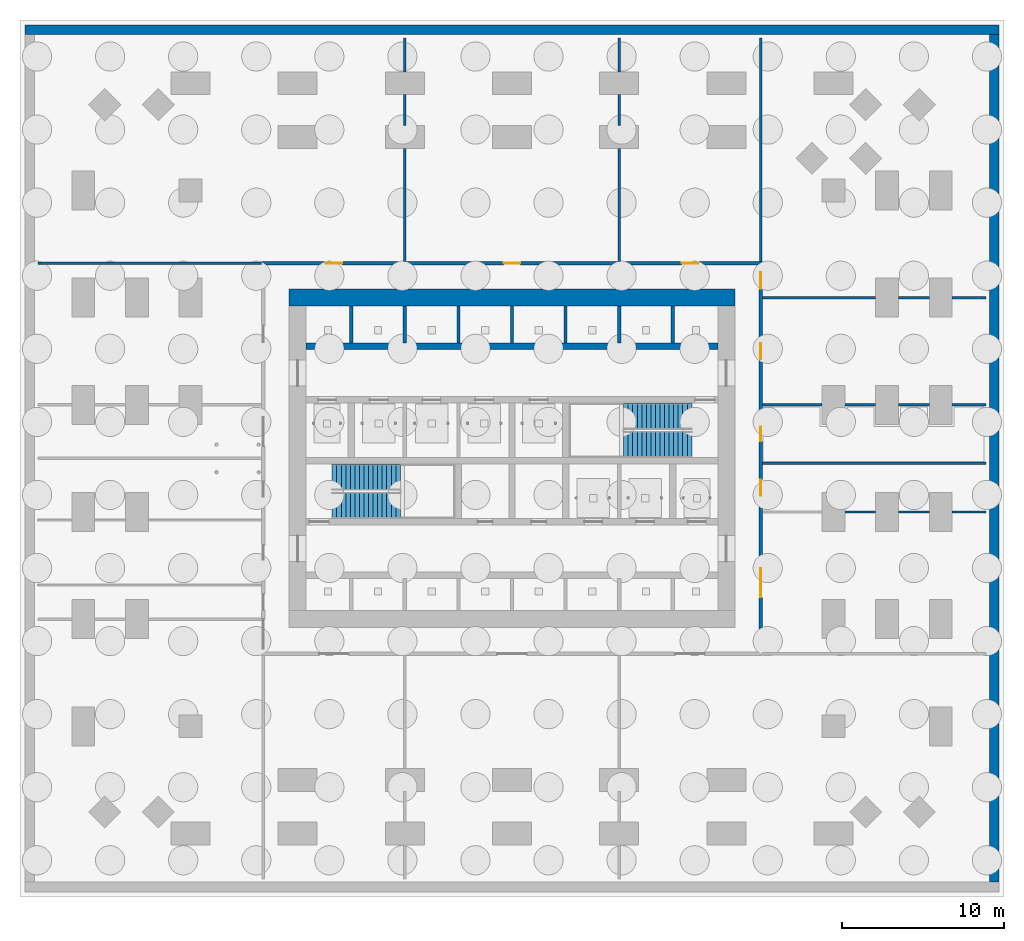
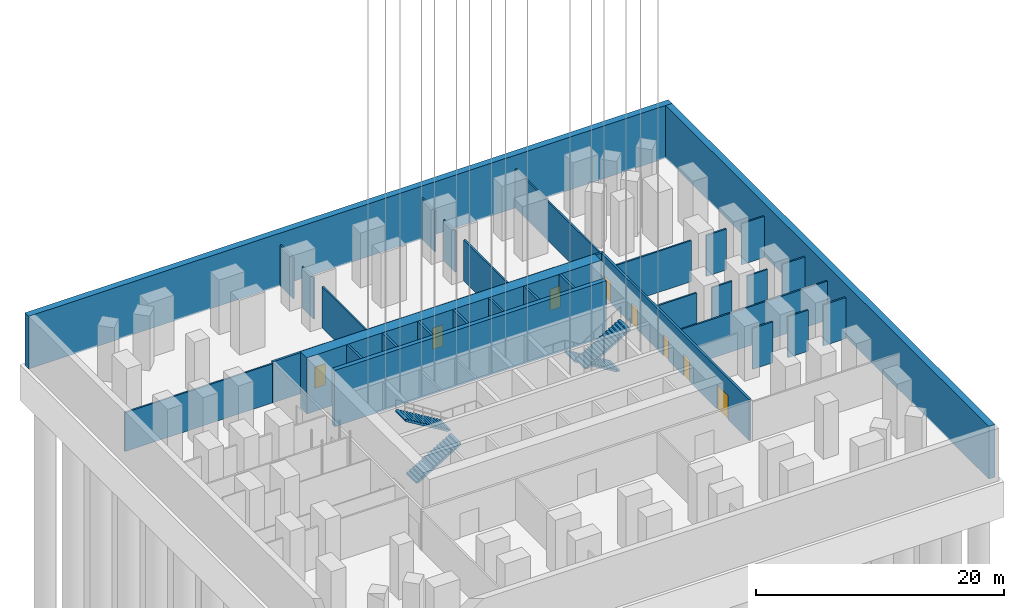
# One storey, part 5 of 17: 32 walls, 8 doors, 4 stair flights, 8 openings, 2 elements without a shape of their own.
"""IFC4 building model written with IfcOpenShell, lengths in metres."""

from ifc_helpers import new_model, si_unit, direction, frame, frame_2d, origin, place, context, subcontext, project, spatial, polyline, rectangle, outline, extrude, material, layer, layer_set, type_object, element, fill, aggregate, save


model = new_model("IFC4")

# Units and contexts
model_context = context("Model", 3, precision=1e-05, world=origin(), true_north=direction((0.0, 1.0)))
body_context = subcontext(model_context, "Body", "Model", "MODEL_VIEW")
ifc_project = project(units=[si_unit("LENGTHUNIT", "METRE"), si_unit("AREAUNIT", "SQUARE_METRE"), si_unit("VOLUMEUNIT", "CUBIC_METRE"), si_unit("PLANEANGLEUNIT", "RADIAN"), si_unit("MASSUNIT", "GRAM", prefix="KILO")], contexts=[model_context])

# Site, building, storey
site_placement = place(None, origin())
site = spatial("IfcSite", under=ifc_project, at=site_placement, CompositionType="ELEMENT")
building_placement = place(site_placement, origin())
building = spatial("IfcBuilding", under=site, at=building_placement, Name="Cobogo Forest Laboratory Tower", CompositionType="ELEMENT")
storey_placement = place(building_placement, frame((0.0, 0.0, -5.39990234375)))
storey = spatial("IfcBuildingStorey", under=building, at=storey_placement, Name="L-01", CompositionType="ELEMENT", Elevation=-5.39990234375)

# Walls
ifc_material_1 = material(Name="Concrete HA-40 (C40/50)", Category="concrete")
ifc_layer_1 = layer(ifc_material_1, 0.60009765625)
ifc_layer_set_1 = layer_set([ifc_layer_1], Name="Basement retaining wall 600")
wall_type_1 = type_object("IfcWallType", Name="Basement retaining wall 600", PredefinedType="SOLIDWALL", material=ifc_layer_set_1)
wall_1_placement = place(storey_placement, frame((-3.60009765625, 49.5, -0.150146484375), z_axis=(0.0, 0.0, 1.0), x_axis=(1.0, 0.0, 0.0)))
element("IfcWall", 1, at=wall_1_placement, inside=storey, type_object=wall_type_1, Name="Retaining wall N", PredefinedType="SOLIDWALL", context=body_context, shape_type="SweptSolid", body=[
    extrude(rectangle(XDim=60.0, YDim=0.60009765625, at=frame_2d((30.0, 0.0))), origin(), (0.0, 0.0, 1.0), 5.199951171875),
])
wall_2_placement = place(storey_placement, frame((56.10009765625, -3.0, -0.150146484375), z_axis=(0.0, 0.0, 1.0), x_axis=(0.0, 1.0, 0.0)))
element("IfcWall", 2, at=wall_2_placement, inside=storey, type_object=wall_type_1, Name="Retaining wall E", PredefinedType="SOLIDWALL", context=body_context, shape_type="SweptSolid", body=[
    extrude(rectangle(XDim=52.199951171875, YDim=0.60009765625, at=frame_2d((26.10009765625, 0.0))), origin(), (0.0, 0.0, 1.0), 5.199951171875),
])
ifc_material_2 = material(Name="Concrete HA-50 (C50/60)", Category="concrete")
ifc_layer_2 = layer(ifc_material_2, 0.39990234375)
ifc_layer_set_2 = layer_set([ifc_layer_2], Name="CI400 core inner wall 400")
wall_type_2 = type_object("IfcWallType", Name="CI400 core inner wall 400", PredefinedType="SHEAR", material=ifc_layer_set_2)
wall_3_placement = place(storey_placement, frame((13.72509765625, 30.0, -0.150146484375), z_axis=(0.0, 0.0, 1.0), x_axis=(1.0, 0.0, 0.0)))
element("IfcWall", 3, at=wall_3_placement, inside=storey, type_object=wall_type_2, Name="Core wall CI-30.0 L-01", PredefinedType="SHEAR", context=body_context, shape_type="SweptSolid", body=[
    extrude(rectangle(XDim=25.349853515625, YDim=0.39990234375, at=frame_2d((12.6748046875, 0.0))), origin(), (0.0, 0.0, 1.0), 5.550048828125),
])
ifc_layer_3 = layer(ifc_material_2, 1.050048828125)
ifc_layer_set_3 = layer_set([ifc_layer_3], Name="CW1050 core outer wall 1050")
wall_type_3 = type_object("IfcWallType", Name="CW1050 core outer wall 1050", PredefinedType="SHEAR", material=ifc_layer_set_3)
wall_4_placement = place(storey_placement, frame((40.125, 33.0, -0.150146484375), z_axis=(0.0, 0.0, 1.0), x_axis=(-1.0, 0.0, 0.0)))
element("IfcWall", 4, at=wall_4_placement, inside=storey, type_object=wall_type_3, Name="Core wall CO-N L-01", PredefinedType="SHEAR", context=body_context, shape_type="SweptSolid", body=[
    extrude(rectangle(XDim=27.449951171875, YDim=1.050048828125, at=frame_2d((13.72509765625, 0.0))), origin(), (0.0, 0.0, 1.0), 5.550048828125),
])
ifc_material_3 = material(Name="Gypsum board on steel studs", Category="steel")
ifc_layer_4 = layer(ifc_material_3, 0.14990234375)
ifc_layer_set_4 = layer_set([ifc_layer_4], Name="PT1 laboratory partition 150")
wall_type_4 = type_object("IfcWallType", Name="PT1 laboratory partition 150", PredefinedType="PARTITIONING", material=ifc_layer_set_4)
wall_5_placement = place(storey_placement, frame((41.72509765625, 49.0, 0.0), z_axis=(0.0, 0.0, 1.0), x_axis=(0.0, -1.0, 0.0)))
element("IfcWall", 5, at=wall_5_placement, inside=storey, type_object=wall_type_4, Name="Partition PW-NE L-01", PredefinedType="PARTITIONING", context=body_context, shape_type="SweptSolid", body=[
    extrude(rectangle(XDim=13.77490234375, YDim=0.14990234375, at=frame_2d((6.887451171875, 0.0))), origin(), (0.0, 0.0, 1.0), 3.849853515625),
])
for number, where, z_axis, x_axis, name in (
    (6, (-2.800048828125, 35.125, 0.0), (0.0, 0.0, 1.0), (1.0, 0.0, 0.0), "Partition PW-NW L-01"),
    (7, (55.60009765625, 22.800048828125, 0.0), (0.0, 0.0, 1.0), (-1.0, 0.0, 0.0), "Partition SVC-E1-1 L-01"),
):
    element("IfcWall", number, at=place(storey_placement, frame(where, z_axis=z_axis, x_axis=x_axis)), inside=storey, type_object=wall_type_4, Name=name, PredefinedType="PARTITIONING", context=body_context, shape_type="SweptSolid", body=[
        extrude(rectangle(XDim=13.775146484375, YDim=0.14990234375, at=frame_2d((6.8876953125, 0.0))), origin(), (0.0, 0.0, 1.0), 3.849853515625),
    ])
wall_6_placement = place(storey_placement, frame((55.60009765625, 26.39990234375, 0.0), z_axis=(0.0, 0.0, 1.0), x_axis=(-1.0, 0.0, 0.0)))
element("IfcWall", 8, at=wall_6_placement, inside=storey, type_object=wall_type_4, Name="Partition SVC-E2-1 L-01", PredefinedType="PARTITIONING", context=body_context, shape_type="SweptSolid", body=[
    extrude(rectangle(XDim=2.10009765625, YDim=0.14990234375, at=frame_2d((1.050048828125, 0.0))), origin(), (0.0, 0.0, 1.0), 4.0498046875),
])
for number, where, z_axis, x_axis, name in (
    (9, (52.10009765625, 26.39990234375, 0.0), (0.0, 0.0, 1.0), (-1.0, 0.0, 0.0), "Partition SVC-E2-2 L-01"),
    (10, (48.800048828125, 26.39990234375, 0.0), (0.0, 0.0, 1.0), (-1.0, 0.0, 0.0), "Partition SVC-E2-3 L-01"),
):
    element("IfcWall", number, at=place(storey_placement, frame(where, z_axis=z_axis, x_axis=x_axis)), inside=storey, type_object=wall_type_4, Name=name, PredefinedType="PARTITIONING", context=body_context, shape_type="SweptSolid", body=[
        extrude(rectangle(XDim=1.900146484375, YDim=0.14990234375, at=frame_2d((0.9501953125, 0.0))), origin(), (0.0, 0.0, 1.0), 4.0498046875),
    ])
wall_7_placement = place(storey_placement, frame((45.5, 26.39990234375, 0.0), z_axis=(0.0, 0.0, 1.0), x_axis=(-1.0, 0.0, 0.0)))
element("IfcWall", 11, at=wall_7_placement, inside=storey, type_object=wall_type_4, Name="Partition SVC-E2-4 L-01", PredefinedType="PARTITIONING", context=body_context, shape_type="SweptSolid", body=[
    extrude(rectangle(XDim=3.675048828125, YDim=0.14990234375, at=frame_2d((1.83740234375, 0.0))), origin(), (0.0, 0.0, 1.0), 4.0498046875),
])
wall_8_placement = place(storey_placement, frame((55.60009765625, 19.800048828125, 0.0), z_axis=(0.0, 0.0, 1.0), x_axis=(-1.0, 0.0, 0.0)))
element("IfcWall", 12, at=wall_8_placement, inside=storey, type_object=wall_type_4, Name="Partition CUT-E19.8-1 L-01", PredefinedType="PARTITIONING", context=body_context, shape_type="SweptSolid", body=[
    extrude(rectangle(XDim=2.10009765625, YDim=0.14990234375, at=frame_2d((1.050048828125, 0.0))), origin(), (0.0, 0.0, 1.0), 4.0498046875),
])
for number, where, z_axis, x_axis, name in (
    (13, (52.10009765625, 19.800048828125, 0.0), (0.0, 0.0, 1.0), (-1.0, 0.0, 0.0), "Partition CUT-E19.8-2 L-01"),
    (14, (48.800048828125, 19.800048828125, 0.0), (0.0, 0.0, 1.0), (-1.0, 0.0, 0.0), "Partition CUT-E19.8-3 L-01"),
):
    element("IfcWall", number, at=place(storey_placement, frame(where, z_axis=z_axis, x_axis=x_axis)), inside=storey, type_object=wall_type_4, Name=name, PredefinedType="PARTITIONING", context=body_context, shape_type="SweptSolid", body=[
        extrude(rectangle(XDim=1.900146484375, YDim=0.14990234375, at=frame_2d((0.9501953125, 0.0))), origin(), (0.0, 0.0, 1.0), 4.0498046875),
    ])
wall_9_placement = place(storey_placement, frame((55.60009765625, 33.0, 0.0), z_axis=(0.0, 0.0, 1.0), x_axis=(-1.0, 0.0, 0.0)))
element("IfcWall", 15, at=wall_9_placement, inside=storey, type_object=wall_type_4, Name="Partition CUT-E33-1 L-01", PredefinedType="PARTITIONING", context=body_context, shape_type="SweptSolid", body=[
    extrude(rectangle(XDim=2.10009765625, YDim=0.14990234375, at=frame_2d((1.050048828125, 0.0))), origin(), (0.0, 0.0, 1.0), 4.0498046875),
])
wall_10_placement = place(storey_placement, frame((52.10009765625, 33.0, 0.0), z_axis=(0.0, 0.0, 1.0), x_axis=(-1.0, 0.0, 0.0)))
element("IfcWall", 16, at=wall_10_placement, inside=storey, type_object=wall_type_4, Name="Partition CUT-E33-2 L-01", PredefinedType="PARTITIONING", context=body_context, shape_type="SweptSolid", body=[
    extrude(rectangle(XDim=1.900146484375, YDim=0.14990234375, at=frame_2d((0.9501953125, 0.0))), origin(), (0.0, 0.0, 1.0), 4.0498046875),
])
wall_11_placement = place(storey_placement, frame((48.800048828125, 33.0, 0.0), z_axis=(0.0, 0.0, 1.0), x_axis=(-1.0, 0.0, 0.0)))
element("IfcWall", 17, at=wall_11_placement, inside=storey, type_object=wall_type_4, Name="Partition CUT-E33-3 L-01", PredefinedType="PARTITIONING", context=body_context, shape_type="SweptSolid", body=[
    extrude(rectangle(XDim=6.97509765625, YDim=0.14990234375, at=frame_2d((3.487548828125, 0.0))), origin(), (0.0, 0.0, 1.0), 4.0498046875),
])
wall_12_placement = place(storey_placement, frame((19.800048828125, 49.0, 0.0), z_axis=(0.0, 0.0, 1.0), x_axis=(0.0, -1.0, 0.0)))
element("IfcWall", 18, at=wall_12_placement, inside=storey, type_object=wall_type_4, Name="Partition CUT-N19.8-1 L-01", PredefinedType="PARTITIONING", context=body_context, shape_type="SweptSolid", body=[
    extrude(rectangle(XDim=2.10009765625, YDim=0.14990234375, at=frame_2d((1.050048828125, 0.0))), origin(), (0.0, 0.0, 1.0), 4.0498046875),
])
wall_13_placement = place(storey_placement, frame((19.800048828125, 45.5, 0.0), z_axis=(0.0, 0.0, 1.0), x_axis=(0.0, -1.0, 0.0)))
element("IfcWall", 19, at=wall_13_placement, inside=storey, type_object=wall_type_4, Name="Partition CUT-N19.8-2 L-01", PredefinedType="PARTITIONING", context=body_context, shape_type="SweptSolid", body=[
    extrude(rectangle(XDim=1.89990234375, YDim=0.14990234375, at=frame_2d((0.949951171875, 0.0))), origin(), (0.0, 0.0, 1.0), 4.0498046875),
])
wall_14_placement = place(storey_placement, frame((19.800048828125, 42.199951171875, 0.0), z_axis=(0.0, 0.0, 1.0), x_axis=(0.0, -1.0, 0.0)))
element("IfcWall", 20, at=wall_14_placement, inside=storey, type_object=wall_type_4, Name="Partition CUT-N19.8-3 L-01", PredefinedType="PARTITIONING", context=body_context, shape_type="SweptSolid", body=[
    extrude(rectangle(XDim=6.974853515625, YDim=0.14990234375, at=frame_2d((3.4873046875, 0.0))), origin(), (0.0, 0.0, 1.0), 4.0498046875),
])
wall_15_placement = place(storey_placement, frame((33.0, 49.0, 0.0), z_axis=(0.0, 0.0, 1.0), x_axis=(0.0, -1.0, 0.0)))
element("IfcWall", 21, at=wall_15_placement, inside=storey, type_object=wall_type_4, Name="Partition CUT-N33-1 L-01", PredefinedType="PARTITIONING", context=body_context, shape_type="SweptSolid", body=[
    extrude(rectangle(XDim=2.10009765625, YDim=0.14990234375, at=frame_2d((1.050048828125, 0.0))), origin(), (0.0, 0.0, 1.0), 4.0498046875),
])
wall_16_placement = place(storey_placement, frame((33.0, 45.5, 0.0), z_axis=(0.0, 0.0, 1.0), x_axis=(0.0, -1.0, 0.0)))
element("IfcWall", 22, at=wall_16_placement, inside=storey, type_object=wall_type_4, Name="Partition CUT-N33-2 L-01", PredefinedType="PARTITIONING", context=body_context, shape_type="SweptSolid", body=[
    extrude(rectangle(XDim=1.89990234375, YDim=0.14990234375, at=frame_2d((0.949951171875, 0.0))), origin(), (0.0, 0.0, 1.0), 4.0498046875),
])
wall_17_placement = place(storey_placement, frame((33.0, 42.199951171875, 0.0), z_axis=(0.0, 0.0, 1.0), x_axis=(0.0, -1.0, 0.0)))
element("IfcWall", 23, at=wall_17_placement, inside=storey, type_object=wall_type_4, Name="Partition CUT-N33-3 L-01", PredefinedType="PARTITIONING", context=body_context, shape_type="SweptSolid", body=[
    extrude(rectangle(XDim=6.974853515625, YDim=0.14990234375, at=frame_2d((3.4873046875, 0.0))), origin(), (0.0, 0.0, 1.0), 4.0498046875),
])

# Wall, openings, doors
ifc_layer_5 = layer(ifc_material_3, 0.199951171875)
ifc_layer_set_5 = layer_set([ifc_layer_5], Name="PT2 fire-rated corridor partition 200")
wall_type_5 = type_object("IfcWallType", Name="PT2 fire-rated corridor partition 200", PredefinedType="PARTITIONING", material=ifc_layer_set_5)
wall_18_placement = place(storey_placement, frame((10.97509765625, 35.125, 0.0), z_axis=(0.0, 0.0, 1.0), x_axis=(1.0, 0.0, 0.0)))
wall_18 = element("IfcWall", 24, at=wall_18_placement, inside=storey, type_object=wall_type_5, Name="Partition CORR-N L-01", PredefinedType="PARTITIONING", context=body_context, shape_type="SweptSolid", body=[
    extrude(rectangle(XDim=30.849853515625, YDim=0.199951171875, at=frame_2d((15.4248046875, 0.0))), origin(), (0.0, 0.0, 1.0), 4.0498046875),
])
opening_1_placement = place(wall_18_placement, frame((3.96240234375, 0.0, 0.0)))
opening_1 = element("IfcOpeningElement", 25, at=opening_1_placement, cuts=wall_18, Name="Opening L-1-D23", PredefinedType="OPENING", context=body_context, shape_type="SweptSolid", body=[
    extrude(rectangle(XDim=1.0, YDim=2.10009765625, at=frame_2d((0.5, 1.050048828125))), frame((0.0, 0.10986328125, 0.0), z_axis=(0.0, -1.0, 0.0), x_axis=(1.0, 0.0, 0.0)), (0.0, 0.0, 1.0), 0.219970703125),
])
opening_2_placement = place(wall_18_placement, frame((14.925048828125, 0.0, 0.0)))
opening_2 = element("IfcOpeningElement", 26, at=opening_2_placement, cuts=wall_18, Name="Opening L-1-D24", PredefinedType="OPENING", context=body_context, shape_type="SweptSolid", body=[
    extrude(rectangle(XDim=1.0, YDim=2.10009765625, at=frame_2d((0.5, 1.050048828125))), frame((0.0, 0.10986328125, 0.0), z_axis=(0.0, -1.0, 0.0), x_axis=(1.0, 0.0, 0.0)), (0.0, 0.0, 1.0), 0.219970703125),
])
opening_3_placement = place(wall_18_placement, frame((25.887451171875, 0.0, 0.0)))
opening_3 = element("IfcOpeningElement", 27, at=opening_3_placement, cuts=wall_18, Name="Opening L-1-D25", PredefinedType="OPENING", context=body_context, shape_type="SweptSolid", body=[
    extrude(rectangle(XDim=1.0, YDim=2.10009765625, at=frame_2d((0.5, 1.050048828125))), frame((0.0, 0.10986328125, 0.0), z_axis=(0.0, -1.0, 0.0), x_axis=(1.0, 0.0, 0.0)), (0.0, 0.0, 1.0), 0.219970703125),
])
ifc_material_4 = material(Name="Steel fire door", Category="steel")
door_type_1 = type_object("IfcDoorType", Name="FD1 fire door 1000 EI2 60", OperationType="SINGLE_SWING_LEFT", PredefinedType="DOOR", material=ifc_material_4)
door_1_placement = place(opening_1_placement, origin())
door_1 = element("IfcDoor", 28, at=door_1_placement, inside=storey, type_object=door_type_1, Name="Door L-1-N1", OperationType="SINGLE_SWING_LEFT", OverallHeight=2.10009765625, OverallWidth=1.0, PredefinedType="DOOR", context=body_context, shape_type="SweptSolid", body=[
    extrude(rectangle(XDim=1.0, YDim=2.10009765625, at=frame_2d((0.5, 1.050048828125))), frame((0.0, 0.02490234375, 0.0), z_axis=(0.0, -1.0, 0.0), x_axis=(1.0, 0.0, 0.0)), (0.0, 0.0, 1.0), 0.050048828125),
])
fill(opening_1, door_1)
door_2_placement = place(opening_2_placement, origin())
door_2 = element("IfcDoor", 29, at=door_2_placement, inside=storey, type_object=door_type_1, Name="Door L-1-N2", OperationType="SINGLE_SWING_RIGHT", OverallHeight=2.10009765625, OverallWidth=1.0, PredefinedType="DOOR", context=body_context, shape_type="SweptSolid", body=[
    extrude(rectangle(XDim=1.0, YDim=2.10009765625, at=frame_2d((0.5, 1.050048828125))), frame((0.0, 0.02490234375, 0.0), z_axis=(0.0, -1.0, 0.0), x_axis=(1.0, 0.0, 0.0)), (0.0, 0.0, 1.0), 0.050048828125),
])
fill(opening_2, door_2)
door_3_placement = place(opening_3_placement, origin())
door_3 = element("IfcDoor", 30, at=door_3_placement, inside=storey, type_object=door_type_1, Name="Door L-1-N3", OperationType="SINGLE_SWING_RIGHT", OverallHeight=2.10009765625, OverallWidth=1.0, PredefinedType="DOOR", context=body_context, shape_type="SweptSolid", body=[
    extrude(rectangle(XDim=1.0, YDim=2.10009765625, at=frame_2d((0.5, 1.050048828125))), frame((0.0, 0.02490234375, 0.0), z_axis=(0.0, -1.0, 0.0), x_axis=(1.0, 0.0, 0.0)), (0.0, 0.0, 1.0), 0.050048828125),
])
fill(opening_3, door_3)

wall_19_placement = place(storey_placement, frame((41.72509765625, 11.175048828125, 0.0), z_axis=(0.0, 0.0, 1.0), x_axis=(0.0, 1.0, 0.0)))
wall_19 = element("IfcWall", 31, at=wall_19_placement, inside=storey, type_object=wall_type_5, Name="Partition CORR-E L-01", PredefinedType="PARTITIONING", context=body_context, shape_type="SweptSolid", body=[
    extrude(rectangle(XDim=23.849853515625, YDim=0.199951171875, at=frame_2d((11.9248046875, 0.0))), origin(), (0.0, 0.0, 1.0), 4.0498046875),
])
opening_4_placement = place(wall_19_placement, frame((3.362548828125, 0.0, 0.0)))
opening_4 = element("IfcOpeningElement", 32, at=opening_4_placement, cuts=wall_19, Name="Opening L-1-D06", PredefinedType="OPENING", context=body_context, shape_type="SweptSolid", body=[
    extrude(rectangle(XDim=1.800048828125, YDim=2.39990234375, at=frame_2d((0.89990234375, 1.199951171875))), frame((0.0, 0.10986328125, 0.0), z_axis=(0.0, -1.0, 0.0), x_axis=(1.0, 0.0, 0.0)), (0.0, 0.0, 1.0), 0.219970703125),
])
opening_5_placement = place(wall_19_placement, frame((9.625, 0.0, 0.0)))
opening_5 = element("IfcOpeningElement", 33, at=opening_5_placement, cuts=wall_19, Name="Opening L-1-D14", PredefinedType="OPENING", context=body_context, shape_type="SweptSolid", body=[
    extrude(rectangle(XDim=1.0, YDim=2.10009765625, at=frame_2d((0.5, 1.050048828125))), frame((0.0, 0.10986328125, 0.0), z_axis=(0.0, -1.0, 0.0), x_axis=(1.0, 0.0, 0.0)), (0.0, 0.0, 1.0), 0.219970703125),
])
opening_6_placement = place(wall_19_placement, frame((12.97509765625, 0.0, 0.0)))
opening_6 = element("IfcOpeningElement", 34, at=opening_6_placement, cuts=wall_19, Name="Opening L-1-D15", PredefinedType="OPENING", context=body_context, shape_type="SweptSolid", body=[
    extrude(rectangle(XDim=0.89990234375, YDim=2.10009765625, at=frame_2d((0.449951171875, 1.050048828125))), frame((0.0, 0.10986328125, 0.0), z_axis=(0.0, -1.0, 0.0), x_axis=(1.0, 0.0, 0.0)), (0.0, 0.0, 1.0), 0.219970703125),
])
opening_7_placement = place(wall_19_placement, frame((18.02490234375, 0.0, 0.0)))
opening_7 = element("IfcOpeningElement", 35, at=opening_7_placement, cuts=wall_19, Name="Opening L-1-D20", PredefinedType="OPENING", context=body_context, shape_type="SweptSolid", body=[
    extrude(rectangle(XDim=1.0, YDim=2.10009765625, at=frame_2d((0.5, 1.050048828125))), frame((0.0, 0.10986328125, 0.0), z_axis=(0.0, -1.0, 0.0), x_axis=(1.0, 0.0, 0.0)), (0.0, 0.0, 1.0), 0.219970703125),
])
opening_8_placement = place(wall_19_placement, frame((22.387451171875, 0.0, 0.0)))
opening_8 = element("IfcOpeningElement", 36, at=opening_8_placement, cuts=wall_19, Name="Opening L-1-D22", PredefinedType="OPENING", context=body_context, shape_type="SweptSolid", body=[
    extrude(rectangle(XDim=1.0, YDim=2.10009765625, at=frame_2d((0.5, 1.050048828125))), frame((0.0, 0.10986328125, 0.0), z_axis=(0.0, -1.0, 0.0), x_axis=(1.0, 0.0, 0.0)), (0.0, 0.0, 1.0), 0.219970703125),
])
door_4_placement = place(opening_5_placement, origin())
door_4 = element("IfcDoor", 37, at=door_4_placement, inside=storey, type_object=door_type_1, Name="Door L-1-ELEC", OperationType="SINGLE_SWING_LEFT", OverallHeight=2.10009765625, OverallWidth=1.0, PredefinedType="DOOR", context=body_context, shape_type="SweptSolid", body=[
    extrude(rectangle(XDim=1.0, YDim=2.10009765625, at=frame_2d((0.5, 1.050048828125))), frame((0.0, 0.02490234375, 0.0), z_axis=(0.0, -1.0, 0.0), x_axis=(1.0, 0.0, 0.0)), (0.0, 0.0, 1.0), 0.050048828125),
])
fill(opening_5, door_4)
door_5_placement = place(opening_7_placement, origin())
door_5 = element("IfcDoor", 38, at=door_5_placement, inside=storey, type_object=door_type_1, Name="Door L-1-E2", OperationType="SINGLE_SWING_RIGHT", OverallHeight=2.10009765625, OverallWidth=1.0, PredefinedType="DOOR", context=body_context, shape_type="SweptSolid", body=[
    extrude(rectangle(XDim=1.0, YDim=2.10009765625, at=frame_2d((0.5, 1.050048828125))), frame((0.0, 0.02490234375, 0.0), z_axis=(0.0, -1.0, 0.0), x_axis=(1.0, 0.0, 0.0)), (0.0, 0.0, 1.0), 0.050048828125),
])
fill(opening_7, door_5)
door_6_placement = place(opening_8_placement, origin())
door_6 = element("IfcDoor", 39, at=door_6_placement, inside=storey, type_object=door_type_1, Name="Door L-1-E3", OperationType="SINGLE_SWING_RIGHT", OverallHeight=2.10009765625, OverallWidth=1.0, PredefinedType="DOOR", context=body_context, shape_type="SweptSolid", body=[
    extrude(rectangle(XDim=1.0, YDim=2.10009765625, at=frame_2d((0.5, 1.050048828125))), frame((0.0, 0.02490234375, 0.0), z_axis=(0.0, -1.0, 0.0), x_axis=(1.0, 0.0, 0.0)), (0.0, 0.0, 1.0), 0.050048828125),
])
fill(opening_8, door_6)
door_type_2 = type_object("IfcDoorType", Name="FD4 riser access door 900 EI2 60", OperationType="SINGLE_SWING_LEFT", PredefinedType="DOOR", material=ifc_material_4)
door_7_placement = place(opening_6_placement, origin())
door_7 = element("IfcDoor", 40, at=door_7_placement, inside=storey, type_object=door_type_2, Name="Door L-1-COMMS", OperationType="SINGLE_SWING_RIGHT", OverallHeight=2.10009765625, OverallWidth=0.89990234375, PredefinedType="DOOR", context=body_context, shape_type="SweptSolid", body=[
    extrude(rectangle(XDim=0.89990234375, YDim=2.10009765625, at=frame_2d((0.449951171875, 1.050048828125))), frame((0.0, 0.02490234375, 0.0), z_axis=(0.0, -1.0, 0.0), x_axis=(1.0, 0.0, 0.0)), (0.0, 0.0, 1.0), 0.050048828125),
])
fill(opening_6, door_7)
door_type_3 = type_object("IfcDoorType", Name="PD1 plant door pair 1800 EI2 60", OperationType="DOUBLE_DOOR_SINGLE_SWING", PredefinedType="DOOR", material=ifc_material_4)
door_8_placement = place(opening_4_placement, origin())
door_8 = element("IfcDoor", 41, at=door_8_placement, inside=storey, type_object=door_type_3, Name="Door L-1-E1", OperationType="DOUBLE_DOOR_SINGLE_SWING", OverallHeight=2.39990234375, OverallWidth=1.800048828125, PredefinedType="DOOR", context=body_context, shape_type="SweptSolid", body=[
    extrude(rectangle(XDim=1.800048828125, YDim=2.39990234375, at=frame_2d((0.89990234375, 1.199951171875))), frame((0.0, 0.02490234375, 0.0), z_axis=(0.0, -1.0, 0.0), x_axis=(1.0, 0.0, 0.0)), (0.0, 0.0, 1.0), 0.050048828125),
])
fill(opening_4, door_8)

# Walls
ifc_material_5 = material(Name="Concrete block", Category="concrete")
ifc_layer_6 = layer(ifc_material_5, 0.199951171875)
ifc_layer_set_6 = layer_set([ifc_layer_6], Name="SW200 lift shaft separator 200")
wall_type_6 = type_object("IfcWallType", Name="SW200 lift shaft separator 200", PredefinedType="PARTITIONING", material=ifc_layer_set_6)
for number, where, z_axis, x_axis, name in (
    (42, (16.5, 30.199951171875, -0.150146484375), (0.0, 0.0, 1.0), (0.0, 1.0, 0.0), "Core wall SEP-N1 L-01"),
    (43, (19.800048828125, 30.199951171875, -0.150146484375), (0.0, 0.0, 1.0), (0.0, 1.0, 0.0), "Core wall SEP-N2 L-01"),
    (44, (23.10009765625, 30.199951171875, -0.150146484375), (0.0, 0.0, 1.0), (0.0, 1.0, 0.0), "Core wall SEP-N3 L-01"),
    (45, (26.39990234375, 30.199951171875, -0.150146484375), (0.0, 0.0, 1.0), (0.0, 1.0, 0.0), "Core wall SEP-N4 L-01"),
    (46, (29.699951171875, 30.199951171875, -0.150146484375), (0.0, 0.0, 1.0), (0.0, 1.0, 0.0), "Core wall SEP-N5 L-01"),
    (47, (33.0, 30.199951171875, -0.150146484375), (0.0, 0.0, 1.0), (0.0, 1.0, 0.0), "Core wall SEP-N6 L-01"),
    (48, (36.300048828125, 30.199951171875, -0.150146484375), (0.0, 0.0, 1.0), (0.0, 1.0, 0.0), "Core wall SEP-N7 L-01"),
):
    element("IfcWall", number, at=place(storey_placement, frame(where, z_axis=z_axis, x_axis=x_axis)), inside=storey, type_object=wall_type_6, Name=name, PredefinedType="PARTITIONING", context=body_context, shape_type="SweptSolid", body=[
        extrude(rectangle(XDim=2.275146484375, YDim=0.199951171875, at=frame_2d((1.1376953125, 0.0))), origin(), (0.0, 0.0, 1.0), 5.550048828125),
    ])

# Stair, stair flights
ifc_material_6 = material(Name="Precast concrete HA-40 (C40/50)", Category="concrete")
stair_type = type_object("IfcStairType", Name="ST32 exit stair 32 risers", PredefinedType="HALF_TURN_STAIR", material=ifc_material_6)
stair_1_placement = place(storey_placement, origin())
stair_1 = element("IfcStair", 49, at=stair_1_placement, inside=storey, type_object=stair_type, Name="Stair 1 L-01 to L00", PredefinedType="HALF_TURN_STAIR")
stair_flight_type = type_object("IfcStairFlightType", Name="ST stair flight 280 going", PredefinedType="STRAIGHT", material=ifc_material_6)
stair_flight_1_placement = place(storey_placement, frame((15.324951171875, 20.199951171875, 0.0), z_axis=(0.0, 0.0, 1.0), x_axis=(1.0, 0.0, 0.0)))
stair_flight_1 = element("IfcStairFlight", 50, at=stair_flight_1_placement, type_object=stair_flight_type, Name="ST1 flight 1", NumberOfRisers=16, NumberOfTreads=15, PredefinedType="STRAIGHT", RiserHeight=0.16875, TreadLength=0.28, context=body_context, shape_type="SweptSolid", body=[
    extrude(outline(polyline([(0.0, 0.0), (0.0, 0.168701171875), (0.280029296875, 0.168701171875), (0.280029296875, 0.33740234375), (0.56005859375, 0.33740234375), (0.56005859375, 0.50634765625), (0.840087890625, 0.50634765625), (0.840087890625, 0.675048828125), (1.1201171875, 0.675048828125), (1.1201171875, 0.84375), (1.39990234375, 0.84375), (1.39990234375, 1.012451171875), (1.679931640625, 1.012451171875), (1.679931640625, 1.18115234375), (1.9599609375, 1.18115234375), (1.9599609375, 1.35009765625), (2.239990234375, 1.35009765625), (2.239990234375, 1.518798828125), (2.52001953125, 1.518798828125), (2.52001953125, 1.6875), (2.800048828125, 1.6875), (2.800048828125, 1.856201171875), (3.080078125, 1.856201171875), (3.080078125, 2.02490234375), (3.360107421875, 2.02490234375), (3.360107421875, 2.19384765625), (3.639892578125, 2.19384765625), (3.639892578125, 2.362548828125), (3.919921875, 2.362548828125), (3.919921875, 2.53125), (4.199951171875, 2.53125), (4.199951171875, 2.699951171875), (4.199951171875, 2.356201171875), (0.29052734375, 0.0), (0.0, 0.0)])), frame((0.0, 0.800048828125, 0.0), z_axis=(0.0, -1.0, 0.0), x_axis=(1.0, 0.0, 0.0)), (0.0, 0.0, 1.0), 1.60009765625),
])
stair_flight_2_placement = place(storey_placement, frame((19.52490234375, 21.949951171875, 2.699951171875), z_axis=(0.0, 0.0, 1.0), x_axis=(-1.0, 0.0, 0.0)))
stair_flight_2 = element("IfcStairFlight", 51, at=stair_flight_2_placement, type_object=stair_flight_type, Name="ST1 flight 2", NumberOfRisers=16, NumberOfTreads=15, PredefinedType="STRAIGHT", RiserHeight=0.16875, TreadLength=0.28, context=body_context, shape_type="SweptSolid", body=[
    extrude(outline(polyline([(0.0, 0.0), (0.0, 0.168701171875), (0.280029296875, 0.168701171875), (0.280029296875, 0.33740234375), (0.56005859375, 0.33740234375), (0.56005859375, 0.50634765625), (0.840087890625, 0.50634765625), (0.840087890625, 0.675048828125), (1.1201171875, 0.675048828125), (1.1201171875, 0.84375), (1.39990234375, 0.84375), (1.39990234375, 1.012451171875), (1.679931640625, 1.012451171875), (1.679931640625, 1.18115234375), (1.9599609375, 1.18115234375), (1.9599609375, 1.35009765625), (2.239990234375, 1.35009765625), (2.239990234375, 1.518798828125), (2.52001953125, 1.518798828125), (2.52001953125, 1.6875), (2.800048828125, 1.6875), (2.800048828125, 1.856201171875), (3.080078125, 1.856201171875), (3.080078125, 2.02490234375), (3.360107421875, 2.02490234375), (3.360107421875, 2.19384765625), (3.639892578125, 2.19384765625), (3.639892578125, 2.362548828125), (3.919921875, 2.362548828125), (3.919921875, 2.53125), (4.199951171875, 2.53125), (4.199951171875, 2.699951171875), (4.199951171875, 2.356201171875), (0.29052734375, 0.0), (0.0, 0.0)])), frame((0.0, 0.800048828125, 0.0), z_axis=(0.0, -1.0, 0.0), x_axis=(1.0, 0.0, 0.0)), (0.0, 0.0, 1.0), 1.60009765625),
])
aggregate(stair_1, [stair_flight_1, stair_flight_2])

stair_2_placement = place(storey_placement, origin())
stair_2 = element("IfcStair", 52, at=stair_2_placement, inside=storey, type_object=stair_type, Name="Stair 2 L-01 to L00", PredefinedType="HALF_TURN_STAIR")
stair_flight_3_placement = place(storey_placement, frame((37.47509765625, 25.699951171875, 0.0), z_axis=(0.0, 0.0, 1.0), x_axis=(-1.0, 0.0, 0.0)))
stair_flight_3 = element("IfcStairFlight", 53, at=stair_flight_3_placement, type_object=stair_flight_type, Name="ST2 flight 1", NumberOfRisers=16, NumberOfTreads=15, PredefinedType="STRAIGHT", RiserHeight=0.16875, TreadLength=0.28, context=body_context, shape_type="SweptSolid", body=[
    extrude(outline(polyline([(0.0, 0.0), (0.0, 0.168701171875), (0.280029296875, 0.168701171875), (0.280029296875, 0.33740234375), (0.56005859375, 0.33740234375), (0.56005859375, 0.50634765625), (0.840087890625, 0.50634765625), (0.840087890625, 0.675048828125), (1.1201171875, 0.675048828125), (1.1201171875, 0.84375), (1.39990234375, 0.84375), (1.39990234375, 1.012451171875), (1.679931640625, 1.012451171875), (1.679931640625, 1.18115234375), (1.9599609375, 1.18115234375), (1.9599609375, 1.35009765625), (2.239990234375, 1.35009765625), (2.239990234375, 1.518798828125), (2.52001953125, 1.518798828125), (2.52001953125, 1.6875), (2.800048828125, 1.6875), (2.800048828125, 1.856201171875), (3.080078125, 1.856201171875), (3.080078125, 2.02490234375), (3.360107421875, 2.02490234375), (3.360107421875, 2.19384765625), (3.639892578125, 2.19384765625), (3.639892578125, 2.362548828125), (3.919921875, 2.362548828125), (3.919921875, 2.53125), (4.199951171875, 2.53125), (4.199951171875, 2.699951171875), (4.199951171875, 2.356201171875), (0.29052734375, 0.0), (0.0, 0.0)])), frame((0.0, 0.800048828125, 0.0), z_axis=(0.0, -1.0, 0.0), x_axis=(1.0, 0.0, 0.0)), (0.0, 0.0, 1.0), 1.60009765625),
])
stair_flight_4_placement = place(storey_placement, frame((33.27490234375, 23.949951171875, 2.699951171875), z_axis=(0.0, 0.0, 1.0), x_axis=(1.0, 0.0, 0.0)))
stair_flight_4 = element("IfcStairFlight", 54, at=stair_flight_4_placement, type_object=stair_flight_type, Name="ST2 flight 2", NumberOfRisers=16, NumberOfTreads=15, PredefinedType="STRAIGHT", RiserHeight=0.16875, TreadLength=0.28, context=body_context, shape_type="SweptSolid", body=[
    extrude(outline(polyline([(0.0, 0.0), (0.0, 0.168701171875), (0.280029296875, 0.168701171875), (0.280029296875, 0.33740234375), (0.56005859375, 0.33740234375), (0.56005859375, 0.50634765625), (0.840087890625, 0.50634765625), (0.840087890625, 0.675048828125), (1.1201171875, 0.675048828125), (1.1201171875, 0.84375), (1.39990234375, 0.84375), (1.39990234375, 1.012451171875), (1.679931640625, 1.012451171875), (1.679931640625, 1.18115234375), (1.9599609375, 1.18115234375), (1.9599609375, 1.35009765625), (2.239990234375, 1.35009765625), (2.239990234375, 1.518798828125), (2.52001953125, 1.518798828125), (2.52001953125, 1.6875), (2.800048828125, 1.6875), (2.800048828125, 1.856201171875), (3.080078125, 1.856201171875), (3.080078125, 2.02490234375), (3.360107421875, 2.02490234375), (3.360107421875, 2.19384765625), (3.639892578125, 2.19384765625), (3.639892578125, 2.362548828125), (3.919921875, 2.362548828125), (3.919921875, 2.53125), (4.199951171875, 2.53125), (4.199951171875, 2.699951171875), (4.199951171875, 2.356201171875), (0.29052734375, 0.0), (0.0, 0.0)])), frame((0.0, 0.800048828125, 0.0), z_axis=(0.0, -1.0, 0.0), x_axis=(1.0, 0.0, 0.0)), (0.0, 0.0, 1.0), 1.60009765625),
])
aggregate(stair_2, [stair_flight_3, stair_flight_4])

save(model, "model.ifc")
